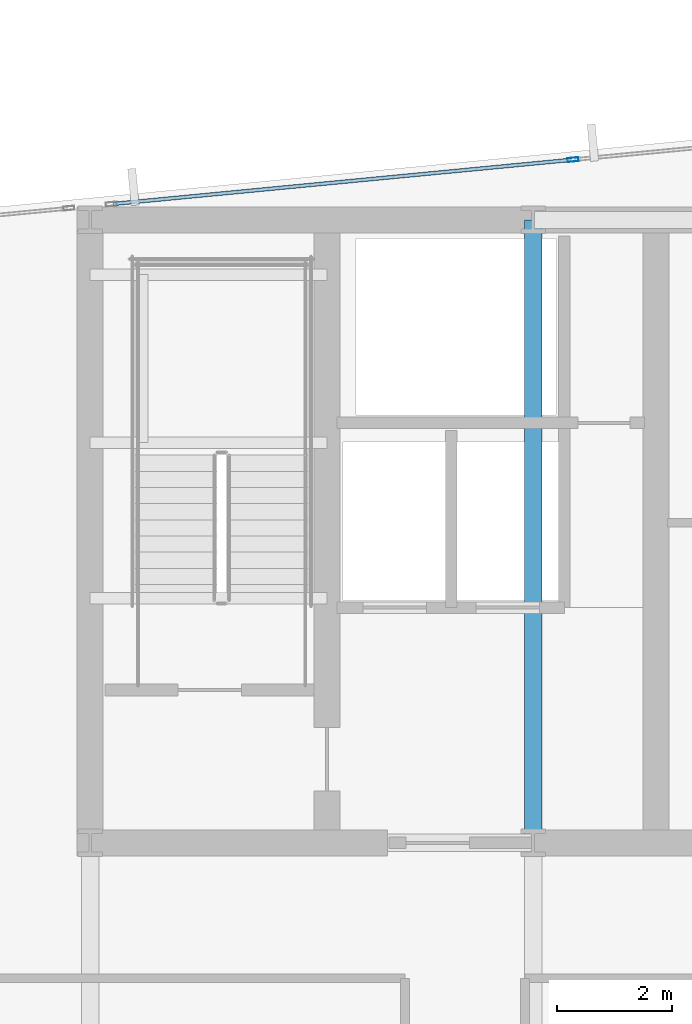
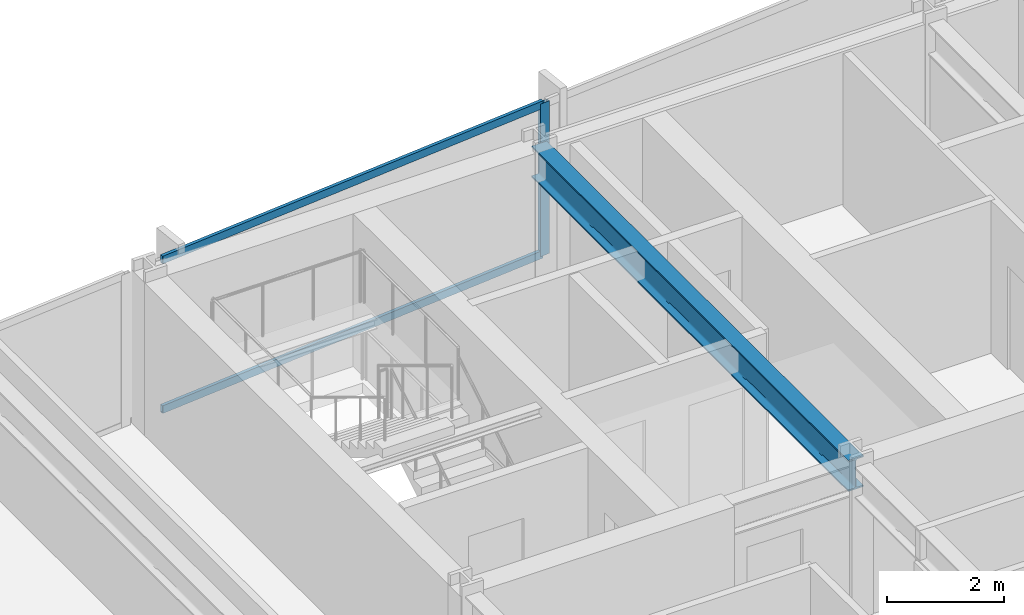
# One storey, part 18 of 32: 3 members, 1 beam, 1 element without a shape of its own.
"""IFC4 building model written with IfcOpenShell, lengths in metres."""

from ifc_helpers import new_model, si_unit, direction, frame, origin, origin_2d, place, context, subcontext, project, spatial, hollow_rectangle, i_section, extrude, material, material_profile, profile_set, type_object, element, aggregate, save


model = new_model("IFC4")

# Units and contexts
model_context = context("Model", 3, precision=1e-05, world=origin(), true_north=direction((0.0, 1.0)))
body_context = subcontext(model_context, "Body", "Model", "MODEL_VIEW")
ifc_project = project(units=[si_unit("LENGTHUNIT", "METRE"), si_unit("AREAUNIT", "SQUARE_METRE"), si_unit("VOLUMEUNIT", "CUBIC_METRE"), si_unit("PLANEANGLEUNIT", "RADIAN"), si_unit("MASSUNIT", "GRAM", prefix="KILO")], contexts=[model_context])

# Site, building, storey
site_placement = place(None, origin())
site = spatial("IfcSite", under=ifc_project, at=site_placement, CompositionType="ELEMENT")
building_placement = place(site_placement, origin())
building = spatial("IfcBuilding", under=site, at=building_placement, Name="Yelkora Congress Tower", CompositionType="ELEMENT")
storey_placement = place(building_placement, frame((0.0, 0.0, 113.5)))
storey = spatial("IfcBuildingStorey", under=building, at=storey_placement, Name="L30", CompositionType="ELEMENT", Elevation=113.5)

# Beam
ifc_material_1 = material(Name="Steel S355J2", Category="steel")
ifc_material_profile_1 = material_profile(ifc_material_1, i_section(OverallWidth=0.300048828125, OverallDepth=0.64990234375, WebThickness=0.01611328125, FlangeThickness=0.031005859375, FilletRadius=0.027099609375, at=origin_2d()), Name="HEB 650")
ifc_profile_set_1 = profile_set([ifc_material_profile_1], Name="Steel S355J2")
beam_type = type_object("IfcBeamType", Name="BM-GIRD-HEB650", PredefinedType="BEAM", material=ifc_profile_set_1)
beam_placement = place(storey_placement, frame((30.719970703125, 35.39990234375, 2.85498046875), z_axis=(0.0, 1.0, 0.0), x_axis=(-1.0, 0.0, 0.0)))
element("IfcBeam", 1, at=beam_placement, inside=storey, type_object=beam_type, Name="L30 Core Tie Girder MC-S2", PredefinedType="BEAM", context=body_context, shape_type="SweptSolid", body=[
    extrude(i_section(OverallWidth=0.300048828125, OverallDepth=0.64990234375, WebThickness=0.01611328125, FlangeThickness=0.031005859375, FilletRadius=0.027099609375, at=origin_2d()), origin(), (0.0, 0.0, 1.0), 10.800048828125),
])

# Curtain wall, members
ifc_material_2 = material(Name="Anodised aluminium and insulated glass", Category="aluminium")
curtain_wall_type = type_object("IfcCurtainWallType", Name="CW-SYS-B2", PredefinedType="NOTDEFINED", material=ifc_material_2)
curtain_wall_placement = place(storey_placement, origin())
curtain_wall = element("IfcCurtainWall", 2, at=curtain_wall_placement, inside=storey, type_object=curtain_wall_type, Name="L30 Unitised Curtain Wall 10 (3)", PredefinedType="NOTDEFINED")
ifc_material_3 = material(Name="Anodised aluminium 6063-T6", Category="aluminium")
ifc_material_profile_2 = material_profile(ifc_material_3, hollow_rectangle(XDim=0.070068359375, YDim=0.18994140625, WallThickness=0.00390625, at=origin_2d()), Name="ALU 70x190x4")
ifc_profile_set_2 = profile_set([ifc_material_profile_2], Name="Anodised aluminium 6063-T6")
member_type_1 = type_object("IfcMemberType", Name="MEM-ML-B2", PredefinedType="MULLION", material=ifc_profile_set_2)
member_1_placement = place(storey_placement, frame((31.411865234375, 47.244140625, 0.0), z_axis=(0.0, 0.0, 1.0), x_axis=(-0.095844238468, 0.995396344153, 0.0)))
member_1 = element("IfcMember", 3, at=member_1_placement, type_object=member_type_1, Name="CW-B2 mullion 2", PredefinedType="MULLION", context=body_context, shape_type="SweptSolid", body=[
    extrude(hollow_rectangle(XDim=0.070068359375, YDim=0.18994140625, WallThickness=0.00390625, at=origin_2d()), origin(), (0.0, 0.0, 1.0), 3.179931640625),
])
ifc_material_profile_3 = material_profile(ifc_material_3, hollow_rectangle(XDim=0.06494140625, YDim=0.159912109375, WallThickness=0.00390625, at=origin_2d()), Name="ALU 65x160x4")
ifc_profile_set_3 = profile_set([ifc_material_profile_3], Name="Anodised aluminium 6063-T6")
member_type_2 = type_object("IfcMemberType", Name="MEM-TR-B2", PredefinedType="USERDEFINED", material=ifc_profile_set_3)
member_2_placement = place(storey_placement, frame((23.441650390625, 46.476806640625, 0.032470703125), z_axis=(0.995398474706, 0.09582210889, 0.0), x_axis=(-0.09582210889, 0.995398474706, 0.0)))
member_2 = element("IfcMember", 4, at=member_2_placement, type_object=member_type_2, Name="CW-B2 transom 1.1", ObjectType="TRANSOM", PredefinedType="USERDEFINED", context=body_context, shape_type="SweptSolid", body=[
    extrude(hollow_rectangle(XDim=0.06494140625, YDim=0.159912109375, WallThickness=0.00390625, at=origin_2d()), origin(), (0.0, 0.0, 1.0), 7.97216796875),
])
member_3_placement = place(storey_placement, frame((23.441650390625, 46.476806640625, 3.1474609375), z_axis=(0.995398474706, 0.09582210889, 0.0), x_axis=(-0.09582210889, 0.995398474706, 0.0)))
member_3 = element("IfcMember", 5, at=member_3_placement, type_object=member_type_2, Name="CW-B2 transom 1.2", ObjectType="TRANSOM", PredefinedType="USERDEFINED", context=body_context, shape_type="SweptSolid", body=[
    extrude(hollow_rectangle(XDim=0.06494140625, YDim=0.159912109375, WallThickness=0.00390625, at=origin_2d()), origin(), (0.0, 0.0, 1.0), 7.97216796875),
])
aggregate(curtain_wall, [member_1, member_2, member_3])

save(model, "model.ifc")
